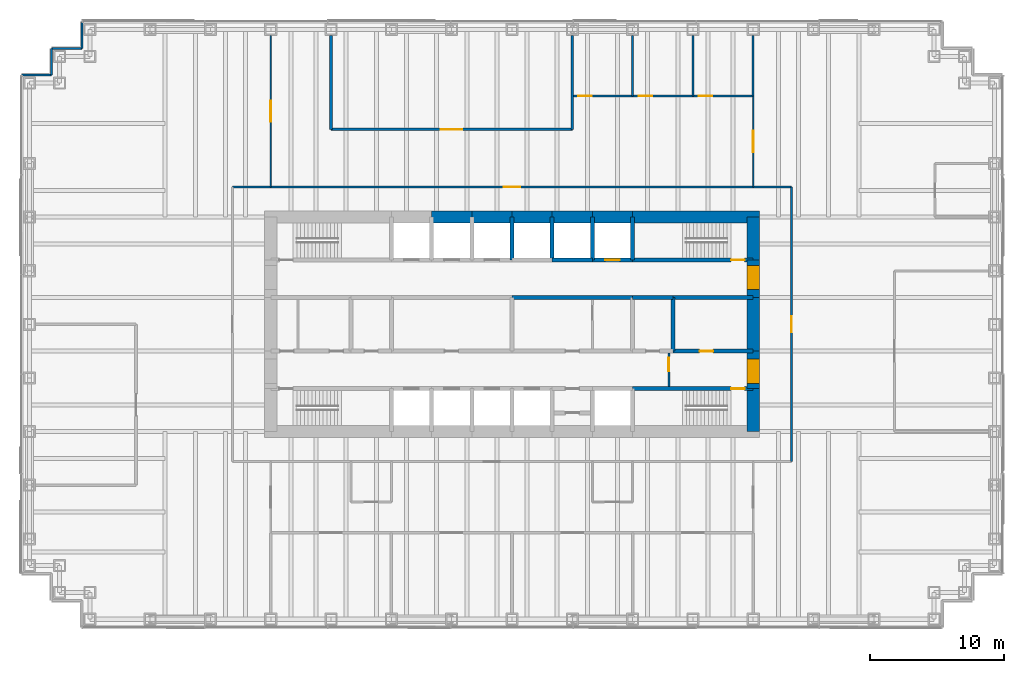
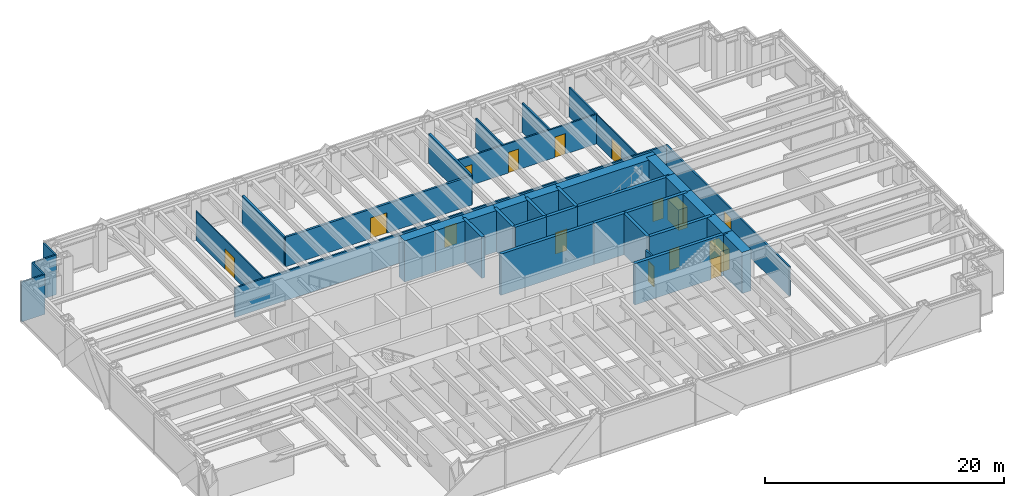
# One storey, part 13 of 15: 40 walls, 15 doors, 15 openings.
"""IFC4 building model written with IfcOpenShell, lengths in metres."""

from ifc_helpers import new_model, si_unit, direction, frame, frame_2d, origin, place, context, subcontext, project, spatial, rectangle, extrude, material, layer, layer_set, type_object, element, fill, save


model = new_model("IFC4")

# Units and contexts
model_context = context("Model", 3, precision=1e-05, world=origin(), true_north=direction((0.0, 1.0)))
body_context = subcontext(model_context, "Body", "Model", "MODEL_VIEW")
ifc_project = project(units=[si_unit("LENGTHUNIT", "METRE"), si_unit("AREAUNIT", "SQUARE_METRE"), si_unit("VOLUMEUNIT", "CUBIC_METRE"), si_unit("PLANEANGLEUNIT", "RADIAN"), si_unit("MASSUNIT", "GRAM", prefix="KILO")], contexts=[model_context])

# Site, building, storey
site_placement = place(None, origin())
site = spatial("IfcSite", under=ifc_project, at=site_placement, CompositionType="ELEMENT")
building_placement = place(site_placement, origin())
building = spatial("IfcBuilding", under=site, at=building_placement, Name="Rheinbord Bourse Tower", CompositionType="ELEMENT")
storey_placement = place(building_placement, frame((0.0, 0.0, 146.699951171875)))
storey = spatial("IfcBuildingStorey", under=building, at=storey_placement, Name="L32", CompositionType="ELEMENT", Elevation=146.699951171875)

# Wall, opening, door
ifc_material_1 = material(Name="Acoustic gypsum board partition", Category="gypsum board")
ifc_layer_1 = layer(ifc_material_1, 0.199951171875)
ifc_layer_set_1 = layer_set([ifc_layer_1], Name="ACOUSTIC PARTITION 200")
wall_type_1 = type_object("IfcWallType", Name="ACOUSTIC PARTITION 200", PredefinedType="PARTITIONING", material=ifc_layer_set_1)
wall_1_placement = place(storey_placement, frame((22.5, 38.550048828125, 0.0), z_axis=(0.0, 0.0, 1.0), x_axis=(1.0, 0.0, 0.0)))
wall_1 = element("IfcWall", 1, at=wall_1_placement, inside=storey, type_object=wall_type_1, Name="Partition L32-12", PredefinedType="PARTITIONING", context=body_context, shape_type="SweptSolid", body=[
    extrude(rectangle(XDim=18.0, YDim=0.199951171875, at=frame_2d((9.0, 0.0))), origin(), (0.0, 0.0, 1.0), 3.0),
])
opening_1_placement = place(wall_1_placement, frame((8.199951171875, 0.0, 0.0)))
opening_1 = element("IfcOpeningElement", 2, at=opening_1_placement, cuts=wall_1, Name="Opening 32D10", PredefinedType="OPENING", context=body_context, shape_type="SweptSolid", body=[
    extrude(rectangle(XDim=1.60009765625, YDim=2.10009765625, at=frame_2d((0.800048828125, 1.050048828125))), frame((0.0, 0.10986328125, 0.0), z_axis=(0.0, -1.0, 0.0), x_axis=(1.0, 0.0, 0.0)), (0.0, 0.0, 1.0), 0.219970703125),
])
ifc_material_2 = material(Name="Timber door", Category="wood")
door_type_1 = type_object("IfcDoorType", Name="DOUBLE ROOM DOOR 1600", OperationType="DOUBLE_DOOR_DOUBLE_SWING", PredefinedType="DOOR", material=ifc_material_2)
door_1_placement = place(opening_1_placement, origin())
door_1 = element("IfcDoor", 3, at=door_1_placement, inside=storey, type_object=door_type_1, Name="Trading simulation room door L32", OperationType="SINGLE_SWING_LEFT", OverallHeight=2.10009765625, OverallWidth=1.60009765625, PredefinedType="DOOR", context=body_context, shape_type="SweptSolid", body=[
    extrude(rectangle(XDim=1.60009765625, YDim=2.10009765625, at=frame_2d((0.800048828125, 1.050048828125))), frame((0.0, 0.02490234375, 0.0), z_axis=(0.0, -1.0, 0.0), x_axis=(1.0, 0.0, 0.0)), (0.0, 0.0, 1.0), 0.050048828125),
])
fill(opening_1, door_1)

# Walls
for number, where, z_axis, x_axis, name in (
    (4, (22.5, 38.550048828125, 0.0), (0.0, 0.0, 1.0), (0.0, 1.0, 0.0), "Partition L32-19"),
    (5, (40.5, 38.550048828125, 0.0), (0.0, 0.0, 1.0), (0.0, 1.0, 0.0), "Partition L32-24"),
):
    element("IfcWall", number, at=place(storey_placement, frame(where, z_axis=z_axis, x_axis=x_axis)), inside=storey, type_object=wall_type_1, Name=name, PredefinedType="PARTITIONING", context=body_context, shape_type="SweptSolid", body=[
        extrude(rectangle(XDim=7.0, YDim=0.199951171875, at=frame_2d((3.5, 0.0))), origin(), (0.0, 0.0, 1.0), 3.0),
    ])

# Wall, opening, door
ifc_material_3 = material(Name="Concrete C50/60", Category="concrete")
ifc_layer_2 = layer(ifc_material_3, 0.300048828125)
ifc_layer_set_2 = layer_set([ifc_layer_2], Name="CORE INNER WALL 300")
wall_type_2 = type_object("IfcWallType", Name="CORE INNER WALL 300", PredefinedType="SOLIDWALL", material=ifc_layer_set_2)
wall_2_placement = place(storey_placement, frame((45.0, 19.199951171875, 0.0), z_axis=(0.0, 0.0, 1.0), x_axis=(1.0, 0.0, 0.0)))
wall_2 = element("IfcWall", 6, at=wall_2_placement, inside=storey, type_object=wall_type_2, Name="Core wall A8 L32", PredefinedType="SOLIDWALL", context=body_context, shape_type="SweptSolid", body=[
    extrude(rectangle(XDim=9.0, YDim=0.300048828125, at=frame_2d((4.5, 0.0))), origin(), (0.0, 0.0, 1.0), 4.199951171875),
])
opening_2_placement = place(wall_2_placement, frame((7.35009765625, 0.0, 0.0)))
opening_2 = element("IfcOpeningElement", 7, at=opening_2_placement, cuts=wall_2, Name="Opening 3230", PredefinedType="OPENING", context=body_context, shape_type="SweptSolid", body=[
    extrude(rectangle(XDim=1.0, YDim=2.10009765625, at=frame_2d((0.5, 1.050048828125))), frame((0.0, 0.159912109375, 0.0), z_axis=(0.0, -1.0, 0.0), x_axis=(1.0, 0.0, 0.0)), (0.0, 0.0, 1.0), 0.320068359375),
])
ifc_material_4 = material(Name="Steel door", Category="steel")
door_type_2 = type_object("IfcDoorType", Name="DOOR 1000 EI30", OperationType="SINGLE_SWING_LEFT", PredefinedType="DOOR", material=ifc_material_4)
door_2_placement = place(opening_2_placement, origin())
door_2 = element("IfcDoor", 8, at=door_2_placement, inside=storey, type_object=door_type_2, Name="Stair door ST3 L32", OperationType="SINGLE_SWING_RIGHT", OverallHeight=2.10009765625, OverallWidth=1.0, PredefinedType="DOOR", context=body_context, shape_type="SweptSolid", body=[
    extrude(rectangle(XDim=1.0, YDim=2.10009765625, at=frame_2d((0.5, 1.050048828125))), frame((0.0, 0.02490234375, 0.0), z_axis=(0.0, -1.0, 0.0), x_axis=(1.0, 0.0, 0.0)), (0.0, 0.0, 1.0), 0.050048828125),
])
fill(opening_2, door_2)

# Wall
wall_3_placement = place(storey_placement, frame((39.0, 28.800048828125, 0.0), z_axis=(0.0, 0.0, 1.0), x_axis=(1.0, 0.0, 0.0)))
element("IfcWall", 9, at=wall_3_placement, inside=storey, type_object=wall_type_2, Name="Core wall B6 L32", PredefinedType="SOLIDWALL", context=body_context, shape_type="SweptSolid", body=[
    extrude(rectangle(XDim=3.0, YDim=0.300048828125, at=frame_2d((1.5, 0.0))), origin(), (0.0, 0.0, 1.0), 4.199951171875),
])

# Wall, opening, door
wall_4_placement = place(storey_placement, frame((42.0, 28.800048828125, 0.0), z_axis=(0.0, 0.0, 1.0), x_axis=(1.0, 0.0, 0.0)))
wall_4 = element("IfcWall", 10, at=wall_4_placement, inside=storey, type_object=wall_type_2, Name="Core wall B7 L32", PredefinedType="SOLIDWALL", context=body_context, shape_type="SweptSolid", body=[
    extrude(rectangle(XDim=3.0, YDim=0.300048828125, at=frame_2d((1.5, 0.0))), origin(), (0.0, 0.0, 1.0), 4.199951171875),
])
opening_3_placement = place(wall_4_placement, frame((0.949951171875, 0.0, 0.0)))
opening_3 = element("IfcOpeningElement", 11, at=opening_3_placement, cuts=wall_4, Name="Opening FL2", PredefinedType="OPENING", context=body_context, shape_type="SweptSolid", body=[
    extrude(rectangle(XDim=1.10009765625, YDim=2.199951171875, at=frame_2d((0.550048828125, 1.10009765625))), frame((0.0, 0.159912109375, 0.0), z_axis=(0.0, -1.0, 0.0), x_axis=(1.0, 0.0, 0.0)), (0.0, 0.0, 1.0), 0.320068359375),
])
ifc_material_5 = material(Name="Steel landing door", Category="steel")
door_type_3 = type_object("IfcDoorType", Name="LIFT LANDING DOOR 1100", OperationType="DOUBLE_DOOR_SLIDING", PredefinedType="USERDEFINED", material=ifc_material_5)
door_3_placement = place(opening_3_placement, origin())
door_3 = element("IfcDoor", 12, at=door_3_placement, inside=storey, type_object=door_type_3, Name="Lift landing door FL2 L32", ObjectType="LIFT LANDING DOOR", OperationType="DOUBLE_DOOR_SLIDING", OverallHeight=2.199951171875, OverallWidth=1.10009765625, PredefinedType="USERDEFINED", context=body_context, shape_type="SweptSolid", body=[
    extrude(rectangle(XDim=1.10009765625, YDim=2.199951171875, at=frame_2d((0.550048828125, 1.10009765625))), frame((0.0, 0.02490234375, 0.0), z_axis=(0.0, -1.0, 0.0), x_axis=(1.0, 0.0, 0.0)), (0.0, 0.0, 1.0), 0.050048828125),
])
fill(opening_3, door_3)

wall_5_placement = place(storey_placement, frame((45.0, 28.800048828125, 0.0), z_axis=(0.0, 0.0, 1.0), x_axis=(1.0, 0.0, 0.0)))
wall_5 = element("IfcWall", 13, at=wall_5_placement, inside=storey, type_object=wall_type_2, Name="Core wall B8 L32", PredefinedType="SOLIDWALL", context=body_context, shape_type="SweptSolid", body=[
    extrude(rectangle(XDim=9.0, YDim=0.300048828125, at=frame_2d((4.5, 0.0))), origin(), (0.0, 0.0, 1.0), 4.199951171875),
])
opening_4_placement = place(wall_5_placement, frame((7.35009765625, 0.0, 0.0)))
opening_4 = element("IfcOpeningElement", 14, at=opening_4_placement, cuts=wall_5, Name="Opening 3240", PredefinedType="OPENING", context=body_context, shape_type="SweptSolid", body=[
    extrude(rectangle(XDim=1.0, YDim=2.10009765625, at=frame_2d((0.5, 1.050048828125))), frame((0.0, 0.159912109375, 0.0), z_axis=(0.0, -1.0, 0.0), x_axis=(1.0, 0.0, 0.0)), (0.0, 0.0, 1.0), 0.320068359375),
])
door_4_placement = place(opening_4_placement, origin())
door_4 = element("IfcDoor", 15, at=door_4_placement, inside=storey, type_object=door_type_2, Name="Stair door ST4 L32", OperationType="SINGLE_SWING_RIGHT", OverallHeight=2.10009765625, OverallWidth=1.0, PredefinedType="DOOR", context=body_context, shape_type="SweptSolid", body=[
    extrude(rectangle(XDim=1.0, YDim=2.10009765625, at=frame_2d((0.5, 1.050048828125))), frame((0.0, 0.02490234375, 0.0), z_axis=(0.0, -1.0, 0.0), x_axis=(1.0, 0.0, 0.0)), (0.0, 0.0, 1.0), 0.050048828125),
])
fill(opening_4, door_4)

wall_6_placement = place(storey_placement, frame((48.0, 22.0, 0.0), z_axis=(0.0, 0.0, 1.0), x_axis=(1.0, 0.0, 0.0)))
wall_6 = element("IfcWall", 16, at=wall_6_placement, inside=storey, type_object=wall_type_2, Name="Core wall C6 L32", PredefinedType="SOLIDWALL", context=body_context, shape_type="SweptSolid", body=[
    extrude(rectangle(XDim=6.0, YDim=0.300048828125, at=frame_2d((3.0, 0.0))), origin(), (0.0, 0.0, 1.0), 4.199951171875),
])
opening_5_placement = place(wall_6_placement, frame((2.0, 0.0, 0.0)))
opening_5 = element("IfcOpeningElement", 17, at=opening_5_placement, cuts=wall_6, Name="Opening 32R6", PredefinedType="OPENING", context=body_context, shape_type="SweptSolid", body=[
    extrude(rectangle(XDim=1.0, YDim=2.10009765625, at=frame_2d((0.5, 1.050048828125))), frame((0.0, 0.159912109375, 0.0), z_axis=(0.0, -1.0, 0.0), x_axis=(1.0, 0.0, 0.0)), (0.0, 0.0, 1.0), 0.320068359375),
])
ifc_material_6 = material(Name="Timber door", Category="wood")
door_type_4 = type_object("IfcDoorType", Name="DOOR 1000 WC", OperationType="SINGLE_SWING_LEFT", PredefinedType="DOOR", material=ifc_material_6)
door_5_placement = place(opening_5_placement, origin())
door_5 = element("IfcDoor", 18, at=door_5_placement, inside=storey, type_object=door_type_4, Name="WC women door L32", OperationType="SINGLE_SWING_LEFT", OverallHeight=2.10009765625, OverallWidth=1.0, PredefinedType="DOOR", context=body_context, shape_type="SweptSolid", body=[
    extrude(rectangle(XDim=1.0, YDim=2.10009765625, at=frame_2d((0.5, 1.050048828125))), frame((0.0, 0.02490234375, 0.0), z_axis=(0.0, -1.0, 0.0), x_axis=(1.0, 0.0, 0.0)), (0.0, 0.0, 1.0), 0.050048828125),
])
fill(opening_5, door_5)

# Walls
wall_7_placement = place(storey_placement, frame((36.0, 26.0, 0.0), z_axis=(0.0, 0.0, 1.0), x_axis=(1.0, 0.0, 0.0)))
element("IfcWall", 19, at=wall_7_placement, inside=storey, type_object=wall_type_2, Name="Core wall D4 L32", PredefinedType="SOLIDWALL", context=body_context, shape_type="SweptSolid", body=[
    extrude(rectangle(XDim=9.0, YDim=0.300048828125, at=frame_2d((4.5, 0.0))), origin(), (0.0, 0.0, 1.0), 4.199951171875),
])
wall_8_placement = place(storey_placement, frame((45.0, 26.0, 0.0), z_axis=(0.0, 0.0, 1.0), x_axis=(1.0, 0.0, 0.0)))
element("IfcWall", 20, at=wall_8_placement, inside=storey, type_object=wall_type_2, Name="Core wall D5 L32", PredefinedType="SOLIDWALL", context=body_context, shape_type="SweptSolid", body=[
    extrude(rectangle(XDim=3.0, YDim=0.300048828125, at=frame_2d((1.5, 0.0))), origin(), (0.0, 0.0, 1.0), 4.199951171875),
])
wall_9_placement = place(storey_placement, frame((48.0, 26.0, 0.0), z_axis=(0.0, 0.0, 1.0), x_axis=(1.0, 0.0, 0.0)))
element("IfcWall", 21, at=wall_9_placement, inside=storey, type_object=wall_type_2, Name="Core wall D6 L32", PredefinedType="SOLIDWALL", context=body_context, shape_type="SweptSolid", body=[
    extrude(rectangle(XDim=6.0, YDim=0.300048828125, at=frame_2d((3.0, 0.0))), origin(), (0.0, 0.0, 1.0), 4.199951171875),
])
for number, where, z_axis, x_axis, name in (
    (22, (36.0, 28.800048828125, 0.0), (0.0, 0.0, 1.0), (0.0, 1.0, 0.0), "Core wall NX36 L32"),
    (23, (39.0, 28.800048828125, 0.0), (0.0, 0.0, 1.0), (0.0, 1.0, 0.0), "Core wall NX39 L32"),
    (24, (42.0, 28.800048828125, 0.0), (0.0, 0.0, 1.0), (0.0, 1.0, 0.0), "Core wall NX42 L32"),
    (25, (45.0, 28.800048828125, 0.0), (0.0, 0.0, 1.0), (0.0, 1.0, 0.0), "Core wall NX45 L32"),
):
    element("IfcWall", number, at=place(storey_placement, frame(where, z_axis=z_axis, x_axis=x_axis)), inside=storey, type_object=wall_type_2, Name=name, PredefinedType="SOLIDWALL", context=body_context, shape_type="SweptSolid", body=[
        extrude(rectangle(XDim=3.199951171875, YDim=0.300048828125, at=frame_2d((1.60009765625, 0.0))), origin(), (0.0, 0.0, 1.0), 4.199951171875),
    ])
wall_10_placement = place(storey_placement, frame((48.0, 22.0, 0.0), z_axis=(0.0, 0.0, 1.0), x_axis=(0.0, 1.0, 0.0)))
element("IfcWall", 26, at=wall_10_placement, inside=storey, type_object=wall_type_2, Name="Core wall MX48 L32", PredefinedType="SOLIDWALL", context=body_context, shape_type="SweptSolid", body=[
    extrude(rectangle(XDim=4.0, YDim=0.300048828125, at=frame_2d((2.0, 0.0))), origin(), (0.0, 0.0, 1.0), 4.199951171875),
])

# Wall, opening, door
ifc_material_7 = material(Name="Gypsum board fire partition", Category="gypsum board")
ifc_layer_3 = layer(ifc_material_7, 0.14990234375)
ifc_layer_set_3 = layer_set([ifc_layer_3], Name="CORE PARTITION 150 EI30")
wall_type_3 = type_object("IfcWallType", Name="CORE PARTITION 150 EI30", PredefinedType="PARTITIONING", material=ifc_layer_set_3)
wall_11_placement = place(storey_placement, frame((47.699951171875, 19.35009765625, 0.0), z_axis=(0.0, 0.0, 1.0), x_axis=(0.0, 1.0, 0.0)))
wall_11 = element("IfcWall", 27, at=wall_11_placement, inside=storey, type_object=wall_type_3, Name="Core partition L32-4", PredefinedType="PARTITIONING", context=body_context, shape_type="SweptSolid", body=[
    extrude(rectangle(XDim=2.5, YDim=0.14990234375, at=frame_2d((1.25, 0.0))), origin(), (0.0, 0.0, 1.0), 3.0),
])
opening_6_placement = place(wall_11_placement, frame((1.14990234375, 0.0, 0.0)))
opening_6 = element("IfcOpeningElement", 28, at=opening_6_placement, cuts=wall_11, Name="Opening 32L5", PredefinedType="OPENING", context=body_context, shape_type="SweptSolid", body=[
    extrude(rectangle(XDim=1.0, YDim=2.10009765625, at=frame_2d((0.5, 1.050048828125))), frame((0.0, 0.0849609375, 0.0), z_axis=(0.0, -1.0, 0.0), x_axis=(1.0, 0.0, 0.0)), (0.0, 0.0, 1.0), 0.169921875),
])
door_6_placement = place(opening_6_placement, origin())
door_6 = element("IfcDoor", 29, at=door_6_placement, inside=storey, type_object=door_type_2, Name="Stair lobby door L32", OperationType="SINGLE_SWING_RIGHT", OverallHeight=2.10009765625, OverallWidth=1.0, PredefinedType="DOOR", context=body_context, shape_type="SweptSolid", body=[
    extrude(rectangle(XDim=1.0, YDim=2.10009765625, at=frame_2d((0.5, 1.050048828125))), frame((0.0, 0.02490234375, 0.0), z_axis=(0.0, -1.0, 0.0), x_axis=(1.0, 0.0, 0.0)), (0.0, 0.0, 1.0), 0.050048828125),
])
fill(opening_6, door_6)

# Walls
ifc_material_8 = material(Name="Concrete C50/60", Category="concrete")
ifc_layer_4 = layer(ifc_material_8, 0.89990234375)
ifc_layer_set_4 = layer_set([ifc_layer_4], Name="CORE WALL 900")
wall_type_4 = type_object("IfcWallType", Name="CORE WALL 900", PredefinedType="SHEAR", material=ifc_layer_set_4)
wall_12_placement = place(storey_placement, frame((54.449951171875, 32.0, 0.0), z_axis=(0.0, 0.0, 1.0), x_axis=(-1.0, 0.0, 0.0)))
element("IfcWall", 30, at=wall_12_placement, inside=storey, type_object=wall_type_4, Name="Core wall N1 L32", PredefinedType="SHEAR", context=body_context, shape_type="SweptSolid", body=[
    extrude(rectangle(XDim=9.449951171875, YDim=0.89990234375, at=frame_2d((4.72509765625, 0.0))), origin(), (0.0, 0.0, 1.0), 4.199951171875),
])
for number, where, z_axis, x_axis, name in (
    (31, (45.0, 32.0, 0.0), (0.0, 0.0, 1.0), (-1.0, 0.0, 0.0), "Core wall N2 L32"),
    (32, (42.0, 32.0, 0.0), (0.0, 0.0, 1.0), (-1.0, 0.0, 0.0), "Core wall N3 L32"),
    (33, (39.0, 32.0, 0.0), (0.0, 0.0, 1.0), (-1.0, 0.0, 0.0), "Core wall N4 L32"),
    (34, (36.0, 32.0, 0.0), (0.0, 0.0, 1.0), (-1.0, 0.0, 0.0), "Core wall N5 L32"),
    (35, (33.0, 32.0, 0.0), (0.0, 0.0, 1.0), (-1.0, 0.0, 0.0), "Core wall N6 L32"),
):
    element("IfcWall", number, at=place(storey_placement, frame(where, z_axis=z_axis, x_axis=x_axis)), inside=storey, type_object=wall_type_4, Name=name, PredefinedType="SHEAR", context=body_context, shape_type="SweptSolid", body=[
        extrude(rectangle(XDim=3.0, YDim=0.89990234375, at=frame_2d((1.5, 0.0))), origin(), (0.0, 0.0, 1.0), 4.199951171875),
    ])
wall_13_placement = place(storey_placement, frame((54.0, 16.0, 0.0), z_axis=(0.0, 0.0, 1.0), x_axis=(0.0, 1.0, 0.0)))
element("IfcWall", 36, at=wall_13_placement, inside=storey, type_object=wall_type_4, Name="Core wall E1 L32", PredefinedType="SHEAR", context=body_context, shape_type="SweptSolid", body=[
    extrude(rectangle(XDim=3.199951171875, YDim=0.89990234375, at=frame_2d((1.60009765625, 0.0))), origin(), (0.0, 0.0, 1.0), 4.199951171875),
])

# Wall, opening, door
wall_14_placement = place(storey_placement, frame((54.0, 19.199951171875, 0.0), z_axis=(0.0, 0.0, 1.0), x_axis=(0.0, 1.0, 0.0)))
wall_14 = element("IfcWall", 37, at=wall_14_placement, inside=storey, type_object=wall_type_4, Name="Core wall E2 L32", PredefinedType="SHEAR", context=body_context, shape_type="SweptSolid", body=[
    extrude(rectangle(XDim=2.800048828125, YDim=0.89990234375, at=frame_2d((1.39990234375, 0.0))), origin(), (0.0, 0.0, 1.0), 4.199951171875),
])
opening_7_placement = place(wall_14_placement, frame((0.39990234375, 0.0, 0.0)))
opening_7 = element("IfcOpeningElement", 38, at=opening_7_placement, cuts=wall_14, Name="Opening 32L3", PredefinedType="OPENING", context=body_context, shape_type="SweptSolid", body=[
    extrude(rectangle(XDim=1.800048828125, YDim=2.10009765625, at=frame_2d((0.89990234375, 1.050048828125))), frame((0.0, 0.4599609375, 0.0), z_axis=(0.0, -1.0, 0.0), x_axis=(1.0, 0.0, 0.0)), (0.0, 0.0, 1.0), 0.919921875),
])
ifc_material_9 = material(Name="Steel door", Category="steel")
door_type_5 = type_object("IfcDoorType", Name="DOOR 1800 EI30 DOUBLE", OperationType="DOUBLE_DOOR_DOUBLE_SWING", PredefinedType="DOOR", material=ifc_material_9)
door_7_placement = place(opening_7_placement, origin())
door_7 = element("IfcDoor", 39, at=door_7_placement, inside=storey, type_object=door_type_5, Name="Lobby door 3 L32", OperationType="SINGLE_SWING_LEFT", OverallHeight=2.10009765625, OverallWidth=1.800048828125, PredefinedType="DOOR", context=body_context, shape_type="SweptSolid", body=[
    extrude(rectangle(XDim=1.800048828125, YDim=2.10009765625, at=frame_2d((0.89990234375, 1.050048828125))), frame((0.0, 0.44970703125, 0.0), z_axis=(0.0, -1.0, 0.0), x_axis=(1.0, 0.0, 0.0)), (0.0, 0.0, 1.0), 0.8994140625),
])
fill(opening_7, door_7)

# Wall
wall_15_placement = place(storey_placement, frame((54.0, 22.0, 0.0), z_axis=(0.0, 0.0, 1.0), x_axis=(0.0, 1.0, 0.0)))
element("IfcWall", 40, at=wall_15_placement, inside=storey, type_object=wall_type_4, Name="Core wall E3 L32", PredefinedType="SHEAR", context=body_context, shape_type="SweptSolid", body=[
    extrude(rectangle(XDim=4.0, YDim=0.89990234375, at=frame_2d((2.0, 0.0))), origin(), (0.0, 0.0, 1.0), 4.199951171875),
])

# Wall, opening, door
wall_16_placement = place(storey_placement, frame((54.0, 26.0, 0.0), z_axis=(0.0, 0.0, 1.0), x_axis=(0.0, 1.0, 0.0)))
wall_16 = element("IfcWall", 41, at=wall_16_placement, inside=storey, type_object=wall_type_4, Name="Core wall E4 L32", PredefinedType="SHEAR", context=body_context, shape_type="SweptSolid", body=[
    extrude(rectangle(XDim=2.800048828125, YDim=0.89990234375, at=frame_2d((1.39990234375, 0.0))), origin(), (0.0, 0.0, 1.0), 4.199951171875),
])
opening_8_placement = place(wall_16_placement, frame((0.60009765625, 0.0, 0.0)))
opening_8 = element("IfcOpeningElement", 42, at=opening_8_placement, cuts=wall_16, Name="Opening 32L4", PredefinedType="OPENING", context=body_context, shape_type="SweptSolid", body=[
    extrude(rectangle(XDim=1.800048828125, YDim=2.10009765625, at=frame_2d((0.89990234375, 1.050048828125))), frame((0.0, 0.4599609375, 0.0), z_axis=(0.0, -1.0, 0.0), x_axis=(1.0, 0.0, 0.0)), (0.0, 0.0, 1.0), 0.919921875),
])
door_8_placement = place(opening_8_placement, origin())
door_8 = element("IfcDoor", 43, at=door_8_placement, inside=storey, type_object=door_type_5, Name="Lobby door 4 L32", OperationType="SINGLE_SWING_LEFT", OverallHeight=2.10009765625, OverallWidth=1.800048828125, PredefinedType="DOOR", context=body_context, shape_type="SweptSolid", body=[
    extrude(rectangle(XDim=1.800048828125, YDim=2.10009765625, at=frame_2d((0.89990234375, 1.050048828125))), frame((0.0, 0.44970703125, 0.0), z_axis=(0.0, -1.0, 0.0), x_axis=(1.0, 0.0, 0.0)), (0.0, 0.0, 1.0), 0.8994140625),
])
fill(opening_8, door_8)

# Walls
wall_17_placement = place(storey_placement, frame((54.0, 28.800048828125, 0.0), z_axis=(0.0, 0.0, 1.0), x_axis=(0.0, 1.0, 0.0)))
element("IfcWall", 44, at=wall_17_placement, inside=storey, type_object=wall_type_4, Name="Core wall E5 L32", PredefinedType="SHEAR", context=body_context, shape_type="SweptSolid", body=[
    extrude(rectangle(XDim=3.199951171875, YDim=0.89990234375, at=frame_2d((1.60009765625, 0.0))), origin(), (0.0, 0.0, 1.0), 4.199951171875),
])
ifc_material_10 = material(Name="Black metal rainscreen panel", Category="aluminium")
ifc_layer_5 = layer(ifc_material_10, 0.14990234375)
ifc_layer_set_5 = layer_set([ifc_layer_5], Name="CORNER PIER CLADDING 150")
wall_type_5 = type_object("IfcWallType", Name="CORNER PIER CLADDING 150", PredefinedType="ELEMENTEDWALL", material=ifc_layer_set_5)
wall_18_placement = place(storey_placement, frame((3.89990234375, 46.60009765625, 0.0), z_axis=(0.0, 0.0, 1.0), x_axis=(0.0, -1.0, 0.0)))
element("IfcWall", 45, at=wall_18_placement, inside=storey, type_object=wall_type_5, Name="Corner pier cladding L32 12", PredefinedType="ELEMENTEDWALL", context=body_context, shape_type="SweptSolid", body=[
    extrude(rectangle(XDim=2.0, YDim=0.14990234375, at=frame_2d((1.0, 0.0))), origin(), (0.0, 0.0, 1.0), 4.0400390625),
])
wall_19_placement = place(storey_placement, frame((3.89990234375, 44.60009765625, 0.0), z_axis=(0.0, 0.0, 1.0), x_axis=(-1.0, 0.0, 0.0)))
element("IfcWall", 46, at=wall_19_placement, inside=storey, type_object=wall_type_5, Name="Corner pier cladding L32 13", PredefinedType="ELEMENTEDWALL", context=body_context, shape_type="SweptSolid", body=[
    extrude(rectangle(XDim=2.25, YDim=0.14990234375, at=frame_2d((1.125, 0.0))), origin(), (0.0, 0.0, 1.0), 4.0400390625),
])
wall_20_placement = place(storey_placement, frame((1.64990234375, 44.60009765625, 0.0), z_axis=(0.0, 0.0, 1.0), x_axis=(0.0, -1.0, 0.0)))
element("IfcWall", 47, at=wall_20_placement, inside=storey, type_object=wall_type_5, Name="Corner pier cladding L32 14", PredefinedType="ELEMENTEDWALL", context=body_context, shape_type="SweptSolid", body=[
    extrude(rectangle(XDim=2.0, YDim=0.14990234375, at=frame_2d((1.0, 0.0))), origin(), (0.0, 0.0, 1.0), 4.0400390625),
])
wall_21_placement = place(storey_placement, frame((1.64990234375, 42.60009765625, 0.0), z_axis=(0.0, 0.0, 1.0), x_axis=(-1.0, 0.0, 0.0)))
element("IfcWall", 48, at=wall_21_placement, inside=storey, type_object=wall_type_5, Name="Corner pier cladding L32 15", PredefinedType="ELEMENTEDWALL", context=body_context, shape_type="SweptSolid", body=[
    extrude(rectangle(XDim=2.25, YDim=0.14990234375, at=frame_2d((1.125, 0.0))), origin(), (0.0, 0.0, 1.0), 4.0400390625),
])

# Wall, opening, door
ifc_material_11 = material(Name="Gypsum board corridor partition", Category="gypsum board")
ifc_layer_6 = layer(ifc_material_11, 0.14990234375)
ifc_layer_set_6 = layer_set([ifc_layer_6], Name="CORRIDOR PARTITION 150 EI30")
wall_type_6 = type_object("IfcWallType", Name="CORRIDOR PARTITION 150 EI30", PredefinedType="PARTITIONING", material=ifc_layer_set_6)
wall_22_placement = place(storey_placement, frame((15.14990234375, 34.25, 0.0), z_axis=(0.0, 0.0, 1.0), x_axis=(1.0, 0.0, 0.0)))
wall_22 = element("IfcWall", 49, at=wall_22_placement, inside=storey, type_object=wall_type_6, Name="Partition L32-10", PredefinedType="PARTITIONING", context=body_context, shape_type="SweptSolid", body=[
    extrude(rectangle(XDim=41.7001953125, YDim=0.14990234375, at=frame_2d((20.85009765625, 0.0))), origin(), (0.0, 0.0, 1.0), 3.0),
])
opening_9_placement = place(wall_22_placement, frame((20.25, 0.0, 0.0)))
opening_9 = element("IfcOpeningElement", 50, at=opening_9_placement, cuts=wall_22, Name="Opening 32D21", PredefinedType="OPENING", context=body_context, shape_type="SweptSolid", body=[
    extrude(rectangle(XDim=1.199951171875, YDim=2.10009765625, at=frame_2d((0.60009765625, 1.050048828125))), frame((0.0, 0.0849609375, 0.0), z_axis=(0.0, -1.0, 0.0), x_axis=(1.0, 0.0, 0.0)), (0.0, 0.0, 1.0), 0.169921875),
])
ifc_material_12 = material(Name="Timber fire door", Category="wood")
door_type_6 = type_object("IfcDoorType", Name="SUITE ENTRANCE DOOR 1200 EI30", OperationType="SINGLE_SWING_LEFT", PredefinedType="DOOR", material=ifc_material_12)
door_9_placement = place(opening_9_placement, origin())
door_9 = element("IfcDoor", 51, at=door_9_placement, inside=storey, type_object=door_type_6, Name="Suite entrance 4 door L32", OperationType="SINGLE_SWING_LEFT", OverallHeight=2.10009765625, OverallWidth=1.199951171875, PredefinedType="DOOR", context=body_context, shape_type="SweptSolid", body=[
    extrude(rectangle(XDim=1.199951171875, YDim=2.10009765625, at=frame_2d((0.60009765625, 1.050048828125))), frame((0.0, 0.02490234375, 0.0), z_axis=(0.0, -1.0, 0.0), x_axis=(1.0, 0.0, 0.0)), (0.0, 0.0, 1.0), 0.050048828125),
])
fill(opening_9, door_9)

wall_23_placement = place(storey_placement, frame((56.85009765625, 13.75, 0.0), z_axis=(0.0, 0.0, 1.0), x_axis=(0.0, 1.0, 0.0)))
wall_23 = element("IfcWall", 52, at=wall_23_placement, inside=storey, type_object=wall_type_6, Name="Partition L32-34", PredefinedType="PARTITIONING", context=body_context, shape_type="SweptSolid", body=[
    extrude(rectangle(XDim=20.5, YDim=0.14990234375, at=frame_2d((10.25, 0.0))), origin(), (0.0, 0.0, 1.0), 3.0),
])
opening_10_placement = place(wall_23_placement, frame((9.64990234375, 0.0, 0.0)))
opening_10 = element("IfcOpeningElement", 53, at=opening_10_placement, cuts=wall_23, Name="Opening 32D19", PredefinedType="OPENING", context=body_context, shape_type="SweptSolid", body=[
    extrude(rectangle(XDim=1.199951171875, YDim=2.10009765625, at=frame_2d((0.60009765625, 1.050048828125))), frame((0.0, 0.0849609375, 0.0), z_axis=(0.0, -1.0, 0.0), x_axis=(1.0, 0.0, 0.0)), (0.0, 0.0, 1.0), 0.169921875),
])
door_10_placement = place(opening_10_placement, origin())
door_10 = element("IfcDoor", 54, at=door_10_placement, inside=storey, type_object=door_type_6, Name="Suite entrance 2 door L32", OperationType="SINGLE_SWING_LEFT", OverallHeight=2.10009765625, OverallWidth=1.199951171875, PredefinedType="DOOR", context=body_context, shape_type="SweptSolid", body=[
    extrude(rectangle(XDim=1.199951171875, YDim=2.10009765625, at=frame_2d((0.60009765625, 1.050048828125))), frame((0.0, 0.02490234375, 0.0), z_axis=(0.0, -1.0, 0.0), x_axis=(1.0, 0.0, 0.0)), (0.0, 0.0, 1.0), 0.050048828125),
])
fill(opening_10, door_10)

ifc_material_13 = material(Name="Toughened laminated glass partition", Category="glass")
ifc_layer_7 = layer(ifc_material_13, 0.10009765625)
ifc_layer_set_7 = layer_set([ifc_layer_7], Name="GLAZED PARTITION 100")
wall_type_7 = type_object("IfcWallType", Name="GLAZED PARTITION 100", PredefinedType="PARTITIONING", material=ifc_layer_set_7)
wall_24_placement = place(storey_placement, frame((18.0, 34.25, 0.0), z_axis=(0.0, 0.0, 1.0), x_axis=(0.0, 1.0, 0.0)))
wall_24 = element("IfcWall", 55, at=wall_24_placement, inside=storey, type_object=wall_type_7, Name="Partition L32-18", PredefinedType="PARTITIONING", context=body_context, shape_type="SweptSolid", body=[
    extrude(rectangle(XDim=11.300048828125, YDim=0.10009765625, at=frame_2d((5.64990234375, 0.0))), origin(), (0.0, 0.0, 1.0), 3.0),
])
opening_11_placement = place(wall_24_placement, frame((4.85009765625, 0.0, 0.0)))
opening_11 = element("IfcOpeningElement", 56, at=opening_11_placement, cuts=wall_24, Name="Opening 32D15", PredefinedType="OPENING", context=body_context, shape_type="SweptSolid", body=[
    extrude(rectangle(XDim=1.60009765625, YDim=2.10009765625, at=frame_2d((0.800048828125, 1.050048828125))), frame((0.0, 0.06005859375, 0.0), z_axis=(0.0, -1.0, 0.0), x_axis=(1.0, 0.0, 0.0)), (0.0, 0.0, 1.0), 0.1201171875),
])
door_11_placement = place(opening_11_placement, origin())
door_11 = element("IfcDoor", 57, at=door_11_placement, inside=storey, type_object=door_type_1, Name="Open area door L32", OperationType="SINGLE_SWING_LEFT", OverallHeight=2.10009765625, OverallWidth=1.60009765625, PredefinedType="DOOR", context=body_context, shape_type="SweptSolid", body=[
    extrude(rectangle(XDim=1.60009765625, YDim=2.10009765625, at=frame_2d((0.800048828125, 1.050048828125))), frame((0.0, 0.02490234375, 0.0), z_axis=(0.0, -1.0, 0.0), x_axis=(1.0, 0.0, 0.0)), (0.0, 0.0, 1.0), 0.050048828125),
])
fill(opening_11, door_11)

wall_25_placement = place(storey_placement, frame((54.0, 34.25, 0.0), z_axis=(0.0, 0.0, 1.0), x_axis=(0.0, 1.0, 0.0)))
wall_25 = element("IfcWall", 58, at=wall_25_placement, inside=storey, type_object=wall_type_7, Name="Partition L32-32", PredefinedType="PARTITIONING", context=body_context, shape_type="SweptSolid", body=[
    extrude(rectangle(XDim=6.800048828125, YDim=0.10009765625, at=frame_2d((3.39990234375, 0.0))), origin(), (0.0, 0.0, 1.0), 3.0),
])
opening_12_placement = place(wall_25_placement, frame((2.60009765625, 0.0, 0.0)))
opening_12 = element("IfcOpeningElement", 59, at=opening_12_placement, cuts=wall_25, Name="Opening 32D17", PredefinedType="OPENING", context=body_context, shape_type="SweptSolid", body=[
    extrude(rectangle(XDim=1.60009765625, YDim=2.10009765625, at=frame_2d((0.800048828125, 1.050048828125))), frame((0.0, 0.06005859375, 0.0), z_axis=(0.0, -1.0, 0.0), x_axis=(1.0, 0.0, 0.0)), (0.0, 0.0, 1.0), 0.1201171875),
])
door_12_placement = place(opening_12_placement, origin())
door_12 = element("IfcDoor", 60, at=door_12_placement, inside=storey, type_object=door_type_1, Name="Open area door L32", OperationType="SINGLE_SWING_LEFT", OverallHeight=2.10009765625, OverallWidth=1.60009765625, PredefinedType="DOOR", context=body_context, shape_type="SweptSolid", body=[
    extrude(rectangle(XDim=1.60009765625, YDim=2.10009765625, at=frame_2d((0.800048828125, 1.050048828125))), frame((0.0, 0.02490234375, 0.0), z_axis=(0.0, -1.0, 0.0), x_axis=(1.0, 0.0, 0.0)), (0.0, 0.0, 1.0), 0.050048828125),
])
fill(opening_12, door_12)

# Wall, openings, doors
ifc_material_14 = material(Name="Gypsum board partition", Category="gypsum board")
ifc_layer_8 = layer(ifc_material_14, 0.14990234375)
ifc_layer_set_8 = layer_set([ifc_layer_8], Name="PARTITION 150")
wall_type_8 = type_object("IfcWallType", Name="PARTITION 150", PredefinedType="PARTITIONING", material=ifc_layer_set_8)
wall_26_placement = place(storey_placement, frame((40.5, 41.050048828125, 0.0), z_axis=(0.0, 0.0, 1.0), x_axis=(1.0, 0.0, 0.0)))
wall_26 = element("IfcWall", 61, at=wall_26_placement, inside=storey, type_object=wall_type_8, Name="Partition L32-13", PredefinedType="PARTITIONING", context=body_context, shape_type="SweptSolid", body=[
    extrude(rectangle(XDim=13.5, YDim=0.14990234375, at=frame_2d((6.75, 0.0))), origin(), (0.0, 0.0, 1.0), 3.0),
])
opening_13_placement = place(wall_26_placement, frame((0.449951171875, 0.0, 0.0)))
opening_13 = element("IfcOpeningElement", 62, at=opening_13_placement, cuts=wall_26, Name="Opening 32D11", PredefinedType="OPENING", context=body_context, shape_type="SweptSolid", body=[
    extrude(rectangle(XDim=1.0, YDim=2.10009765625, at=frame_2d((0.5, 1.050048828125))), frame((0.0, 0.0849609375, 0.0), z_axis=(0.0, -1.0, 0.0), x_axis=(1.0, 0.0, 0.0)), (0.0, 0.0, 1.0), 0.169921875),
])
opening_14_placement = place(wall_26_placement, frame((4.949951171875, 0.0, 0.0)))
opening_14 = element("IfcOpeningElement", 63, at=opening_14_placement, cuts=wall_26, Name="Opening 32D12", PredefinedType="OPENING", context=body_context, shape_type="SweptSolid", body=[
    extrude(rectangle(XDim=1.0, YDim=2.10009765625, at=frame_2d((0.5, 1.050048828125))), frame((0.0, 0.0849609375, 0.0), z_axis=(0.0, -1.0, 0.0), x_axis=(1.0, 0.0, 0.0)), (0.0, 0.0, 1.0), 0.169921875),
])
opening_15_placement = place(wall_26_placement, frame((9.449951171875, 0.0, 0.0)))
opening_15 = element("IfcOpeningElement", 64, at=opening_15_placement, cuts=wall_26, Name="Opening 32D13", PredefinedType="OPENING", context=body_context, shape_type="SweptSolid", body=[
    extrude(rectangle(XDim=1.0, YDim=2.10009765625, at=frame_2d((0.5, 1.050048828125))), frame((0.0, 0.0849609375, 0.0), z_axis=(0.0, -1.0, 0.0), x_axis=(1.0, 0.0, 0.0)), (0.0, 0.0, 1.0), 0.169921875),
])
ifc_material_15 = material(Name="Timber door", Category="wood")
door_type_7 = type_object("IfcDoorType", Name="ROOM DOOR 1000", OperationType="SINGLE_SWING_LEFT", PredefinedType="DOOR", material=ifc_material_15)
door_13_placement = place(opening_13_placement, origin())
door_13 = element("IfcDoor", 65, at=door_13_placement, inside=storey, type_object=door_type_7, Name="Office door L32", OperationType="SINGLE_SWING_LEFT", OverallHeight=2.10009765625, OverallWidth=1.0, PredefinedType="DOOR", context=body_context, shape_type="SweptSolid", body=[
    extrude(rectangle(XDim=1.0, YDim=2.10009765625, at=frame_2d((0.5, 1.050048828125))), frame((0.0, 0.02490234375, 0.0), z_axis=(0.0, -1.0, 0.0), x_axis=(1.0, 0.0, 0.0)), (0.0, 0.0, 1.0), 0.050048828125),
])
fill(opening_13, door_13)
door_14_placement = place(opening_14_placement, origin())
door_14 = element("IfcDoor", 66, at=door_14_placement, inside=storey, type_object=door_type_7, Name="Office door L32", OperationType="SINGLE_SWING_LEFT", OverallHeight=2.10009765625, OverallWidth=1.0, PredefinedType="DOOR", context=body_context, shape_type="SweptSolid", body=[
    extrude(rectangle(XDim=1.0, YDim=2.10009765625, at=frame_2d((0.5, 1.050048828125))), frame((0.0, 0.02490234375, 0.0), z_axis=(0.0, -1.0, 0.0), x_axis=(1.0, 0.0, 0.0)), (0.0, 0.0, 1.0), 0.050048828125),
])
fill(opening_14, door_14)
door_15_placement = place(opening_15_placement, origin())
door_15 = element("IfcDoor", 67, at=door_15_placement, inside=storey, type_object=door_type_7, Name="Office door L32", OperationType="SINGLE_SWING_RIGHT", OverallHeight=2.10009765625, OverallWidth=1.0, PredefinedType="DOOR", context=body_context, shape_type="SweptSolid", body=[
    extrude(rectangle(XDim=1.0, YDim=2.10009765625, at=frame_2d((0.5, 1.050048828125))), frame((0.0, 0.02490234375, 0.0), z_axis=(0.0, -1.0, 0.0), x_axis=(1.0, 0.0, 0.0)), (0.0, 0.0, 1.0), 0.050048828125),
])
fill(opening_15, door_15)

# Walls
for number, where, z_axis, x_axis, name in (
    (68, (45.0, 41.050048828125, 0.0), (0.0, 0.0, 1.0), (0.0, 1.0, 0.0), "Partition L32-28"),
    (69, (49.5, 41.050048828125, 0.0), (0.0, 0.0, 1.0), (0.0, 1.0, 0.0), "Partition L32-29"),
    (70, (54.0, 41.050048828125, 0.0), (0.0, 0.0, 1.0), (0.0, 1.0, 0.0), "Partition L32-33"),
):
    element("IfcWall", number, at=place(storey_placement, frame(where, z_axis=z_axis, x_axis=x_axis)), inside=storey, type_object=wall_type_8, Name=name, PredefinedType="PARTITIONING", context=body_context, shape_type="SweptSolid", body=[
        extrude(rectangle(XDim=4.5, YDim=0.14990234375, at=frame_2d((2.25, 0.0))), origin(), (0.0, 0.0, 1.0), 3.0),
    ])

save(model, "model.ifc")
